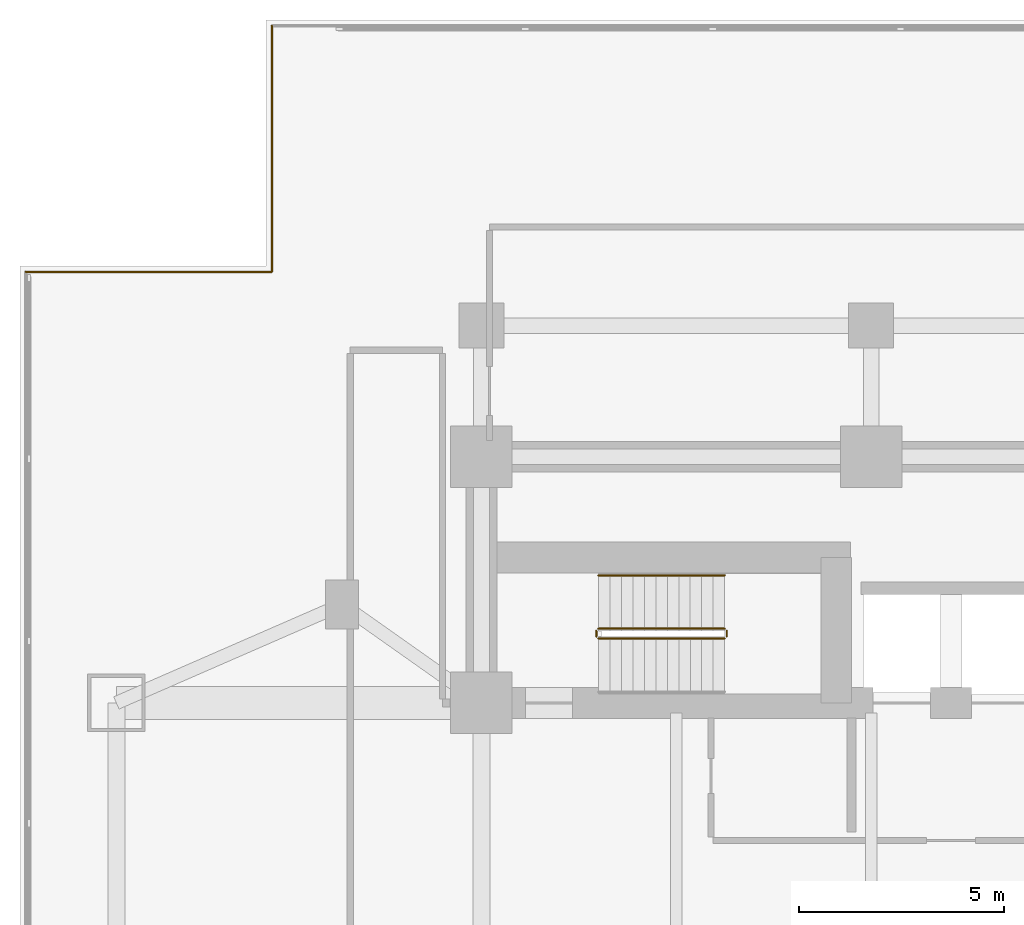
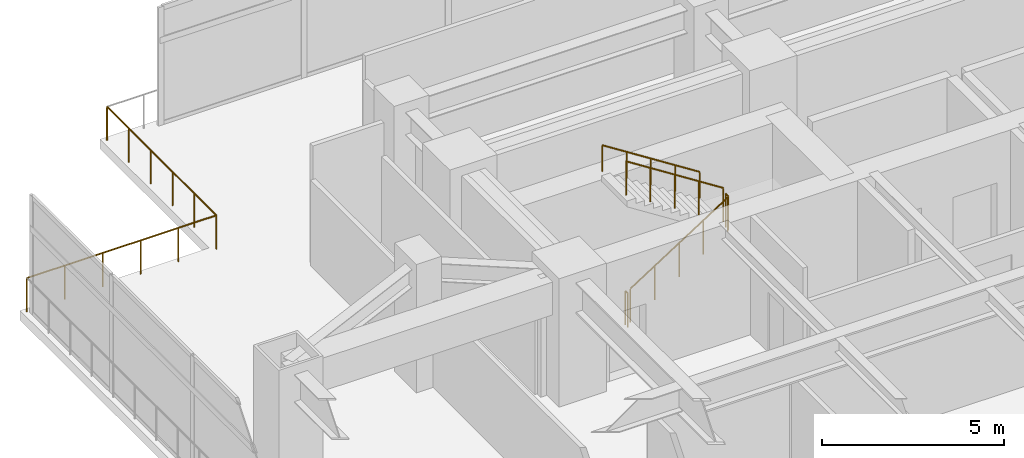
# One storey, part 25 of 31: 7 railings.
"""IFC4 building model written with IfcOpenShell, lengths in metres."""

from ifc_helpers import new_model, si_unit, direction, frame, origin, origin_2d, place, context, subcontext, project, spatial, circle, extrude, material, type_object, element, save


model = new_model("IFC4")

# Units and contexts
model_context = context("Model", 3, precision=1e-05, world=origin(), true_north=direction((0.0, 1.0)))
body_context = subcontext(model_context, "Body", "Model", "MODEL_VIEW")
ifc_project = project(units=[si_unit("LENGTHUNIT", "METRE"), si_unit("AREAUNIT", "SQUARE_METRE"), si_unit("VOLUMEUNIT", "CUBIC_METRE"), si_unit("PLANEANGLEUNIT", "RADIAN"), si_unit("MASSUNIT", "GRAM", prefix="KILO")], contexts=[model_context])

# Site, building, storey
site_placement = place(None, origin())
site = spatial("IfcSite", under=ifc_project, at=site_placement, CompositionType="ELEMENT")
building_placement = place(site_placement, origin())
building = spatial("IfcBuilding", under=site, at=building_placement, Name="Mirazonda Arch Towers", CompositionType="ELEMENT")
storey_placement = place(building_placement, frame((0.0, 0.0, 5.199951171875)))
storey = spatial("IfcBuildingStorey", under=building, at=storey_placement, Name="L01", CompositionType="ELEMENT", Elevation=5.199951171875)

# Railings
ifc_material = material(Name="Architectural Brushed Steel S355", Category="steel")
railing_type_1 = type_object("IfcRailingType", Name="GUARD-EXT-1150", PredefinedType="GUARDRAIL", material=ifc_material)
railing_1_placement = place(storey_placement, frame((5.889892578125, 54.110107421875, 0.0)))
element("IfcRailing", 1, at=railing_1_placement, inside=storey, type_object=railing_type_1, Name="L01 L01 West Podium Perimeter Guard 08", PredefinedType="GUARDRAIL", context=body_context, shape_type="SweptSolid", body=[
    extrude(circle(Radius=0.02392578125, at=origin_2d()), frame((0.0, 0.0, 1.1259765625), z_axis=(0.0, -1.0, 0.0), x_axis=(1.0, 0.0, 0.0)), (0.0, 0.0, 1.0), 6.0),
    extrude(circle(Radius=0.02099609375, at=origin_2d()), origin(), (0.0, 0.0, 1.0), 1.101806640625),
    extrude(circle(Radius=0.02099609375, at=origin_2d()), frame((0.0, -1.199951171875, 0.0)), (0.0, 0.0, 1.0), 1.101806640625),
    extrude(circle(Radius=0.02099609375, at=origin_2d()), frame((0.0, -2.39990234375, 0.0)), (0.0, 0.0, 1.0), 1.101806640625),
    extrude(circle(Radius=0.02099609375, at=origin_2d()), frame((0.0, -3.60009765625, 0.0)), (0.0, 0.0, 1.0), 1.101806640625),
    extrude(circle(Radius=0.02099609375, at=origin_2d()), frame((0.0, -4.800048828125, 0.0)), (0.0, 0.0, 1.0), 1.101806640625),
    extrude(circle(Radius=0.02099609375, at=origin_2d()), frame((0.0, -6.0, 0.0)), (0.0, 0.0, 1.0), 1.101806640625),
])
railing_2_placement = place(storey_placement, frame((5.889892578125, 48.110107421875, 0.0)))
element("IfcRailing", 2, at=railing_2_placement, inside=storey, type_object=railing_type_1, Name="L01 L01 West Podium Perimeter Guard 09", PredefinedType="GUARDRAIL", context=body_context, shape_type="SweptSolid", body=[
    extrude(circle(Radius=0.02392578125, at=origin_2d()), frame((0.0, 0.0, 1.1259765625), z_axis=(-1.0, 0.0, 0.0), x_axis=(0.0, -1.0, 0.0)), (0.0, 0.0, 1.0), 6.0),
    extrude(circle(Radius=0.02099609375, at=origin_2d()), origin(), (0.0, 0.0, 1.0), 1.101806640625),
    extrude(circle(Radius=0.02099609375, at=origin_2d()), frame((-1.199951171875, 0.0, 0.0)), (0.0, 0.0, 1.0), 1.101806640625),
    extrude(circle(Radius=0.02099609375, at=origin_2d()), frame((-2.39990234375, 0.0, 0.0)), (0.0, 0.0, 1.0), 1.101806640625),
    extrude(circle(Radius=0.02099609375, at=origin_2d()), frame((-3.60009765625, 0.0, 0.0)), (0.0, 0.0, 1.0), 1.101806640625),
    extrude(circle(Radius=0.02099609375, at=origin_2d()), frame((-4.800048828125, 0.0, 0.0)), (0.0, 0.0, 1.0), 1.101806640625),
    extrude(circle(Radius=0.02099609375, at=origin_2d()), frame((-6.0, 0.0, 0.0)), (0.0, 0.0, 1.0), 1.101806640625),
])
railing_type_2 = type_object("IfcRailingType", Name="GUARD-STAIR-1120", PredefinedType="GUARDRAIL", material=ifc_material)
railing_3_placement = place(storey_placement, frame((13.85009765625, 39.169921875, 0.17919921875)))
element("IfcRailing", 3, at=railing_3_placement, inside=storey, type_object=railing_type_2, Name="L01 ST-T1N stair guard 1", PredefinedType="GUARDRAIL", context=body_context, shape_type="SweptSolid", body=[
    extrude(circle(Radius=0.02392578125, at=origin_2d()), frame((0.0, 0.0, 1.1259765625), z_axis=(0.842289589211, 0.0, 0.539025275759), x_axis=(0.0, 1.0, 0.0)), (0.0, 0.0, 1.0), 3.656494140625),
    extrude(circle(Radius=0.02099609375, at=origin_2d()), origin(), (0.0, 0.0, 1.0), 1.101806640625),
    extrude(circle(Radius=0.02099609375, at=origin_2d()), frame((0.77001953125, 0.0, 0.49267578125)), (0.0, 0.0, 1.0), 1.101806640625),
    extrude(circle(Radius=0.02099609375, at=origin_2d()), frame((1.5400390625, 0.0, 0.9853515625)), (0.0, 0.0, 1.0), 1.101806640625),
    extrude(circle(Radius=0.02099609375, at=origin_2d()), frame((2.309814453125, 0.0, 1.478271484375)), (0.0, 0.0, 1.0), 1.101806640625),
    extrude(circle(Radius=0.02099609375, at=origin_2d()), frame((3.079833984375, 0.0, 1.970947265625)), (0.0, 0.0, 1.0), 1.101806640625),
])
railing_4_placement = place(storey_placement, frame((16.97998046875, 39.219970703125, 2.150146484375)))
element("IfcRailing", 4, at=railing_4_placement, inside=storey, type_object=railing_type_2, Name="L01 ST-T1N stair guard 2", PredefinedType="GUARDRAIL", context=body_context, shape_type="SweptSolid", body=[
    extrude(circle(Radius=0.02392578125, at=origin_2d()), frame((0.0, 0.0, 1.1259765625), z_axis=(0.0, 1.0, 0.0), x_axis=(-1.0, 0.0, 0.0)), (0.0, 0.0, 1.0), 0.14013671875),
    extrude(circle(Radius=0.02099609375, at=origin_2d()), origin(), (0.0, 0.0, 1.0), 1.101806640625),
    extrude(circle(Radius=0.02099609375, at=origin_2d()), frame((0.0, 0.14013671875, 0.0)), (0.0, 0.0, 1.0), 1.101806640625),
])
railing_5_placement = place(storey_placement, frame((16.929931640625, 39.409912109375, 2.3291015625)))
element("IfcRailing", 5, at=railing_5_placement, inside=storey, type_object=railing_type_2, Name="L01 ST-T1N stair guard 3", PredefinedType="GUARDRAIL", context=body_context, shape_type="SweptSolid", body=[
    extrude(circle(Radius=0.02392578125, at=origin_2d()), frame((0.0, 0.0, 1.1259765625), z_axis=(-0.842289589211, 0.0, 0.539025275759), x_axis=(0.0, -1.0, 0.0)), (0.0, 0.0, 1.0), 3.656494140625),
    extrude(circle(Radius=0.02099609375, at=origin_2d()), origin(), (0.0, 0.0, 1.0), 1.101806640625),
    extrude(circle(Radius=0.02099609375, at=origin_2d()), frame((-0.77001953125, 0.0, 0.49267578125)), (0.0, 0.0, 1.0), 1.101806640625),
    extrude(circle(Radius=0.02099609375, at=origin_2d()), frame((-1.5400390625, 0.0, 0.9853515625)), (0.0, 0.0, 1.0), 1.101806640625),
    extrude(circle(Radius=0.02099609375, at=origin_2d()), frame((-2.309814453125, 0.0, 1.478271484375)), (0.0, 0.0, 1.0), 1.101806640625),
    extrude(circle(Radius=0.02099609375, at=origin_2d()), frame((-3.079833984375, 0.0, 1.970947265625)), (0.0, 0.0, 1.0), 1.101806640625),
])
railing_6_placement = place(storey_placement, frame((13.800048828125, 39.219970703125, 0.0)))
element("IfcRailing", 6, at=railing_6_placement, inside=storey, type_object=railing_type_2, Name="L01 ST-T1N stair guard 4", PredefinedType="GUARDRAIL", context=body_context, shape_type="SweptSolid", body=[
    extrude(circle(Radius=0.02392578125, at=origin_2d()), frame((0.0, 0.0, 1.1259765625), z_axis=(0.0, 1.0, 0.0), x_axis=(-1.0, 0.0, 0.0)), (0.0, 0.0, 1.0), 0.14013671875),
    extrude(circle(Radius=0.02099609375, at=origin_2d()), origin(), (0.0, 0.0, 1.0), 1.101806640625),
    extrude(circle(Radius=0.02099609375, at=origin_2d()), frame((0.0, 0.14013671875, 0.0)), (0.0, 0.0, 1.0), 1.101806640625),
])
railing_type_3 = type_object("IfcRailingType", Name="HANDRAIL-915", PredefinedType="HANDRAIL", material=ifc_material)
railing_7_placement = place(storey_placement, frame((16.929931640625, 40.7099609375, 2.3291015625)))
element("IfcRailing", 7, at=railing_7_placement, inside=storey, type_object=railing_type_3, Name="L01 ST-T1N stair handrail 2", PredefinedType="HANDRAIL", context=body_context, shape_type="SweptSolid", body=[
    extrude(circle(Radius=0.02392578125, at=origin_2d()), frame((0.0, 0.0, 0.8759765625), z_axis=(-0.842289589211, 0.0, 0.539025275759), x_axis=(0.0, -1.0, 0.0)), (0.0, 0.0, 1.0), 3.656494140625),
    extrude(circle(Radius=0.02099609375, at=origin_2d()), origin(), (0.0, 0.0, 1.0), 0.851806640625),
    extrude(circle(Radius=0.02099609375, at=origin_2d()), frame((-0.77001953125, 0.0, 0.49267578125)), (0.0, 0.0, 1.0), 0.851806640625),
    extrude(circle(Radius=0.02099609375, at=origin_2d()), frame((-1.5400390625, 0.0, 0.9853515625)), (0.0, 0.0, 1.0), 0.851806640625),
    extrude(circle(Radius=0.02099609375, at=origin_2d()), frame((-2.309814453125, 0.0, 1.478271484375)), (0.0, 0.0, 1.0), 0.851806640625),
    extrude(circle(Radius=0.02099609375, at=origin_2d()), frame((-3.079833984375, 0.0, 1.970947265625)), (0.0, 0.0, 1.0), 0.851806640625),
])

save(model, "model.ifc")
